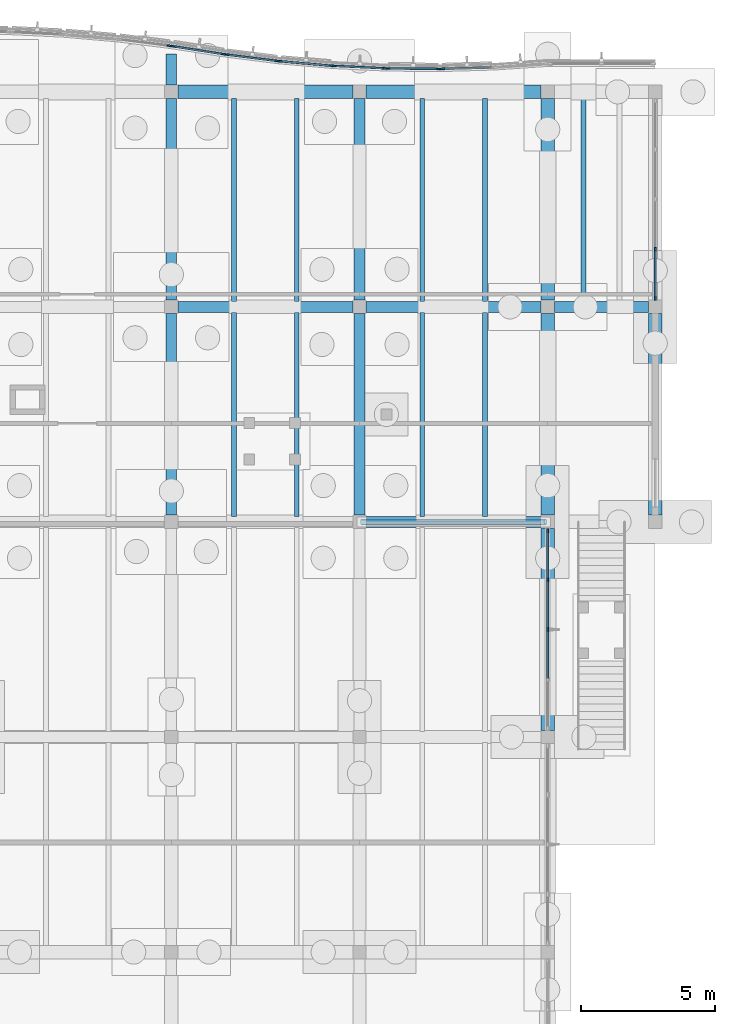
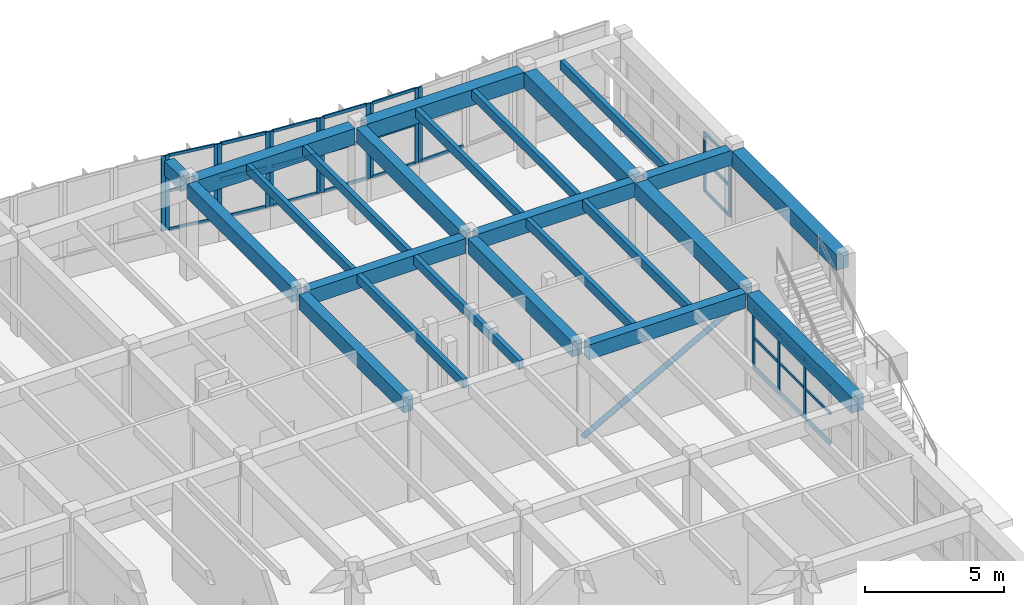
# One storey, part 48 of 99: 46 members, 24 beams, 9 elements without a shape of their own.
"""IFC4 building model written with IfcOpenShell, lengths in metres."""

from ifc_helpers import new_model, si_unit, direction, frame, origin, origin_2d, place, context, subcontext, project, spatial, rectangle, hollow_circle, extrude, material, layer, layer_set, material_profile, profile_set, type_object, element, aggregate, save


model = new_model("IFC4")

# Units and contexts
model_context = context("Model", 3, precision=1e-05, world=origin(), true_north=direction((0.0, 1.0)))
body_context = subcontext(model_context, "Body", "Model", "MODEL_VIEW")
ifc_project = project(units=[si_unit("LENGTHUNIT", "METRE"), si_unit("AREAUNIT", "SQUARE_METRE"), si_unit("VOLUMEUNIT", "CUBIC_METRE"), si_unit("PLANEANGLEUNIT", "RADIAN"), si_unit("MASSUNIT", "GRAM", prefix="KILO")], contexts=[model_context])

# Site, building, storey
site_placement = place(None, origin())
site = spatial("IfcSite", under=ifc_project, at=site_placement, CompositionType="ELEMENT")
building_placement = place(site_placement, origin())
building = spatial("IfcBuilding", under=site, at=building_placement, Name="Tonlespit Floodbar School", CompositionType="ELEMENT")
storey_placement = place(building_placement, origin())
storey = spatial("IfcBuildingStorey", under=building, at=storey_placement, Name="L00", CompositionType="ELEMENT", Elevation=0.0)

# Beams
ifc_material_1 = material(Name="Concrete C40/50", Category="concrete")
ifc_material_profile_1 = material_profile(ifc_material_1, rectangle(XDim=0.39990234375, YDim=0.64990234375, at=origin_2d()), Name="RC 400x650")
ifc_profile_set_1 = profile_set([ifc_material_profile_1], Name="Concrete C40/50")
beam_type_1 = type_object("IfcBeamType", Name="Beam_RC_400x650", PredefinedType="BEAM", material=ifc_profile_set_1)
for number, where, z_axis, x_axis, name in (
    (1, (169.25, 104.0, 3.9150390625), (1.0, 0.0, 0.0), (0.0, 1.0, 0.0), "L00 girder 0139"),
    (2, (162.25, 112.0, 3.9150390625), (1.0, 0.0, 0.0), (0.0, 1.0, 0.0), "L00 girder 0148"),
    (3, (169.25, 112.0, 3.9150390625), (1.0, 0.0, 0.0), (0.0, 1.0, 0.0), "L00 girder 0149"),
):
    element("IfcBeam", number, at=place(storey_placement, frame(where, z_axis=z_axis, x_axis=x_axis)), inside=storey, type_object=beam_type_1, Name=name, PredefinedType="BEAM", context=body_context, shape_type="SweptSolid", body=[
        extrude(rectangle(XDim=0.39990234375, YDim=0.64990234375, at=origin_2d()), origin(), (0.0, 0.0, 1.0), 6.5),
    ])
beam_1_placement = place(storey_placement, frame((176.25, 112.0, 3.9150390625), z_axis=(1.0, 0.0, 0.0), x_axis=(0.0, 1.0, 0.0)))
element("IfcBeam", 4, at=beam_1_placement, inside=storey, type_object=beam_type_1, Name="L00 girder 0150", PredefinedType="BEAM", context=body_context, shape_type="SweptSolid", body=[
    extrude(rectangle(XDim=0.39990234375, YDim=0.64990234375, at=origin_2d()), origin(), (0.0, 0.0, 1.0), 3.5),
])
for number, where, z_axis, x_axis, name in (
    (5, (162.0, 104.25, 3.9150390625), (0.0, 1.0, 0.0), (-1.0, 0.0, 0.0), "L00 girder 0304"),
    (6, (162.0, 112.25, 3.9150390625), (0.0, 1.0, 0.0), (-1.0, 0.0, 0.0), "L00 girder 0305"),
    (7, (169.0, 104.25, 3.9150390625), (0.0, 1.0, 0.0), (-1.0, 0.0, 0.0), "L00 girder 0312"),
    (8, (169.0, 112.25, 3.9150390625), (0.0, 1.0, 0.0), (-1.0, 0.0, 0.0), "L00 girder 0313"),
):
    element("IfcBeam", number, at=place(storey_placement, frame(where, z_axis=z_axis, x_axis=x_axis)), inside=storey, type_object=beam_type_1, Name=name, PredefinedType="BEAM", context=body_context, shape_type="SweptSolid", body=[
        extrude(rectangle(XDim=0.39990234375, YDim=0.64990234375, at=origin_2d()), origin(), (0.0, 0.0, 1.0), 7.5),
    ])
beam_2_placement = place(storey_placement, frame((162.0, 120.25, 3.9150390625), z_axis=(0.0, 1.0, 0.0), x_axis=(-1.0, 0.0, 0.0)))
element("IfcBeam", 9, at=beam_2_placement, inside=storey, type_object=beam_type_1, Name="L00 north street wave cantilever bracket", PredefinedType="BEAM", context=body_context, shape_type="SweptSolid", body=[
    extrude(rectangle(XDim=0.39990234375, YDim=0.64990234375, at=origin_2d()), origin(), (0.0, 0.0, 1.0), 1.15576171875),
])

# Member
ifc_material_2 = material(Name="Steel S355", Category="steel")
ifc_material_profile_2 = material_profile(ifc_material_2, hollow_circle(Radius=0.109619140625, WallThickness=0.008056640625, at=origin_2d()), Name="CHS 219.1x8")
ifc_profile_set_2 = profile_set([ifc_material_profile_2], Name="Steel S355")
member_type_1 = type_object("IfcMemberType", Name="Brace_Ext_CHS219", PredefinedType="BRACE", material=ifc_profile_set_2)
member_1_placement = place(storey_placement, frame((169.080078125, 104.0, 0.14990234375), z_axis=(0.874149917104, 0.0, 0.485656177174), x_axis=(0.0, 1.0, 0.0)))
element("IfcMember", 10, at=member_1_placement, inside=storey, type_object=member_type_1, Name="L00 exposed deconstructivist lateral brace 4", PredefinedType="BRACE", context=body_context, shape_type="SweptSolid", body=[
    extrude(hollow_circle(Radius=0.109619140625, WallThickness=0.008056640625, at=origin_2d()), origin(), (0.0, 0.0, 1.0), 7.824462890625),
])

# Curtain wall, members
ifc_material_3 = material(Name="Anodised Aluminium", Category="aluminium")
ifc_layer_1 = layer(ifc_material_3, 0.159912109375)
ifc_layer_set_1 = layer_set([ifc_layer_1], Name="Anodised Aluminium")
curtain_wall_type_1 = type_object("IfcCurtainWallType", Name="CurtainWall_1950x3300", PredefinedType="NOTDEFINED", material=ifc_layer_set_1)
curtain_wall_1_placement = place(storey_placement, origin())
curtain_wall_1 = element("IfcCurtainWall", 11, at=curtain_wall_1_placement, inside=storey, type_object=curtain_wall_type_1, Name="L00 unitised curtain wall 0362", PredefinedType="NOTDEFINED")
ifc_material_profile_3 = material_profile(ifc_material_3, rectangle(XDim=0.06494140625, YDim=0.14990234375, at=origin_2d()), Name="ALU M65x150")
ifc_profile_set_3 = profile_set([ifc_material_profile_3], Name="Anodised Aluminium")
member_type_2 = type_object("IfcMemberType", Name="CW_Mullion_65x150", PredefinedType="MULLION", material=ifc_profile_set_3)
member_2_placement = place(storey_placement, frame((162.071533203125, 121.694580078125, 0.949951171875), z_axis=(0.0, 0.0, 1.0), x_axis=(0.153796288585, 0.988102576465, 0.0)))
member_2 = element("IfcMember", 12, at=member_2_placement, type_object=member_type_2, Name="CW-01 mullion 1", PredefinedType="MULLION", context=body_context, shape_type="SweptSolid", body=[
    extrude(rectangle(XDim=0.06494140625, YDim=0.14990234375, at=origin_2d()), origin(), (0.0, 0.0, 1.0), 3.2900390625),
])
member_3_placement = place(storey_placement, frame((163.928466796875, 121.405517578125, 0.949951171875), z_axis=(0.0, 0.0, 1.0), x_axis=(0.153796288585, 0.988102576465, 0.0)))
member_3 = element("IfcMember", 13, at=member_3_placement, type_object=member_type_2, Name="CW-01 mullion 2", PredefinedType="MULLION", context=body_context, shape_type="SweptSolid", body=[
    extrude(rectangle(XDim=0.06494140625, YDim=0.14990234375, at=origin_2d()), origin(), (0.0, 0.0, 1.0), 3.2900390625),
])

curtain_wall_2_placement = place(storey_placement, origin())
curtain_wall_2 = element("IfcCurtainWall", 14, at=curtain_wall_2_placement, inside=storey, type_object=curtain_wall_type_1, Name="L00 unitised curtain wall 0364", PredefinedType="NOTDEFINED")
member_4_placement = place(storey_placement, frame((166.072265625, 121.135986328125, 0.949951171875), z_axis=(0.0, 0.0, 1.0), x_axis=(0.086531117454, 0.996249148412, 0.0)))
member_4 = element("IfcMember", 15, at=member_4_placement, type_object=member_type_2, Name="CW-01 mullion 1", PredefinedType="MULLION", context=body_context, shape_type="SweptSolid", body=[
    extrude(rectangle(XDim=0.06494140625, YDim=0.14990234375, at=origin_2d()), origin(), (0.0, 0.0, 1.0), 3.2900390625),
])
member_5_placement = place(storey_placement, frame((167.927734375, 120.974853515625, 0.949951171875), z_axis=(0.0, 0.0, 1.0), x_axis=(0.086531117454, 0.996249148412, 0.0)))
member_5 = element("IfcMember", 16, at=member_5_placement, type_object=member_type_2, Name="CW-01 mullion 2", PredefinedType="MULLION", context=body_context, shape_type="SweptSolid", body=[
    extrude(rectangle(XDim=0.06494140625, YDim=0.14990234375, at=origin_2d()), origin(), (0.0, 0.0, 1.0), 3.2900390625),
])

ifc_layer_2 = layer(ifc_material_3, 0.159912109375)
ifc_layer_set_2 = layer_set([ifc_layer_2], Name="Anodised Aluminium")
curtain_wall_type_2 = type_object("IfcCurtainWallType", Name="CurtainWall_1900x3300", PredefinedType="NOTDEFINED", material=ifc_layer_set_2)
curtain_wall_3_placement = place(storey_placement, origin())
curtain_wall_3 = element("IfcCurtainWall", 17, at=curtain_wall_3_placement, inside=storey, type_object=curtain_wall_type_2, Name="L00 unitised curtain wall 0366", PredefinedType="NOTDEFINED")
member_6_placement = place(storey_placement, frame((170.072509765625, 120.87158203125, 0.949951171875), z_axis=(0.0, 0.0, 1.0), x_axis=(0.009582893292, 0.999954083024, 0.0)))
member_6 = element("IfcMember", 18, at=member_6_placement, type_object=member_type_2, Name="CW-02 mullion 1", PredefinedType="MULLION", context=body_context, shape_type="SweptSolid", body=[
    extrude(rectangle(XDim=0.06494140625, YDim=0.14990234375, at=origin_2d()), origin(), (0.0, 0.0, 1.0), 3.2900390625),
])
member_7_placement = place(storey_placement, frame((171.927490234375, 120.853759765625, 0.949951171875), z_axis=(0.0, 0.0, 1.0), x_axis=(0.009582893292, 0.999954083024, 0.0)))
member_7 = element("IfcMember", 19, at=member_7_placement, type_object=member_type_2, Name="CW-02 mullion 2", PredefinedType="MULLION", context=body_context, shape_type="SweptSolid", body=[
    extrude(rectangle(XDim=0.06494140625, YDim=0.14990234375, at=origin_2d()), origin(), (0.0, 0.0, 1.0), 3.2900390625),
])

ifc_layer_3 = layer(ifc_material_3, 0.159912109375)
ifc_layer_set_3 = layer_set([ifc_layer_3], Name="Anodised Aluminium")
curtain_wall_type_3 = type_object("IfcCurtainWallType", Name="CurtainWall_7400x2600", PredefinedType="NOTDEFINED", material=ifc_layer_set_3)
curtain_wall_4_placement = place(storey_placement, origin())
curtain_wall_4 = element("IfcCurtainWall", 20, at=curtain_wall_4_placement, inside=storey, type_object=curtain_wall_type_3, Name="L00 unitised curtain wall 0370", PredefinedType="NOTDEFINED")
member_8_placement = place(storey_placement, frame((180.0, 114.14501953125, 0.949951171875), z_axis=(0.0, 0.0, 1.0), x_axis=(1.0, 0.0, 0.0)))
member_8 = element("IfcMember", 21, at=member_8_placement, type_object=member_type_2, Name="CW-52 mullion 4", PredefinedType="MULLION", context=body_context, shape_type="SweptSolid", body=[
    extrude(rectangle(XDim=0.06494140625, YDim=0.14990234375, at=origin_2d()), origin(), (0.0, 0.0, 1.0), 2.590087890625),
])
member_9_placement = place(storey_placement, frame((180.0, 112.322509765625, 0.949951171875), z_axis=(0.0, 0.0, 1.0), x_axis=(1.0, 0.0, 0.0)))
member_9 = element("IfcMember", 22, at=member_9_placement, type_object=member_type_2, Name="CW-52 mullion 5", PredefinedType="MULLION", context=body_context, shape_type="SweptSolid", body=[
    extrude(rectangle(XDim=0.06494140625, YDim=0.14990234375, at=origin_2d()), origin(), (0.0, 0.0, 1.0), 2.590087890625),
])

curtain_wall_5_placement = place(storey_placement, origin())
curtain_wall_5 = element("IfcCurtainWall", 23, at=curtain_wall_5_placement, inside=storey, type_object=curtain_wall_type_3, Name="L00 unitised curtain wall 0374", PredefinedType="NOTDEFINED")
member_10_placement = place(storey_placement, frame((176.0, 103.677490234375, 0.949951171875), z_axis=(0.0, 0.0, 1.0), x_axis=(1.0, 0.0, 0.0)))
member_10 = element("IfcMember", 24, at=member_10_placement, type_object=member_type_2, Name="CW-52 mullion 1", PredefinedType="MULLION", context=body_context, shape_type="SweptSolid", body=[
    extrude(rectangle(XDim=0.06494140625, YDim=0.14990234375, at=origin_2d()), origin(), (0.0, 0.0, 1.0), 2.590087890625),
])
member_11_placement = place(storey_placement, frame((176.0, 101.85498046875, 0.949951171875), z_axis=(0.0, 0.0, 1.0), x_axis=(1.0, 0.0, 0.0)))
member_11 = element("IfcMember", 25, at=member_11_placement, type_object=member_type_2, Name="CW-52 mullion 2", PredefinedType="MULLION", context=body_context, shape_type="SweptSolid", body=[
    extrude(rectangle(XDim=0.06494140625, YDim=0.14990234375, at=origin_2d()), origin(), (0.0, 0.0, 1.0), 2.590087890625),
])
member_12_placement = place(storey_placement, frame((176.0, 100.0, 0.949951171875), z_axis=(0.0, 0.0, 1.0), x_axis=(1.0, 0.0, 0.0)))
member_12 = element("IfcMember", 26, at=member_12_placement, type_object=member_type_2, Name="CW-52 mullion 3", PredefinedType="MULLION", context=body_context, shape_type="SweptSolid", body=[
    extrude(rectangle(XDim=0.06494140625, YDim=0.14990234375, at=origin_2d()), origin(), (0.0, 0.0, 1.0), 2.590087890625),
])

# Curtain wall, member
curtain_wall_6_placement = place(storey_placement, origin())
curtain_wall_6 = element("IfcCurtainWall", 27, at=curtain_wall_6_placement, inside=storey, type_object=curtain_wall_type_1, Name="L00 unitised curtain wall 0361", PredefinedType="NOTDEFINED")
ifc_material_profile_4 = material_profile(ifc_material_3, rectangle(XDim=0.06494140625, YDim=0.179931640625, at=origin_2d()), Name="ALU M65x180")
ifc_profile_set_4 = profile_set([ifc_material_profile_4], Name="Anodised Aluminium")
member_type_3 = type_object("IfcMemberType", Name="CW_Mullion_65x180", PredefinedType="MULLION", material=ifc_profile_set_4)
member_13_placement = place(storey_placement, frame((161.927978515625, 121.71484375, 0.949951171875), z_axis=(0.0, 0.0, 1.0), x_axis=(0.125013803299, 0.992155002499, 0.0)))
member_13 = element("IfcMember", 28, at=member_13_placement, type_object=member_type_3, Name="CW-01 mullion 2", PredefinedType="MULLION", context=body_context, shape_type="SweptSolid", body=[
    extrude(rectangle(XDim=0.06494140625, YDim=0.179931640625, at=origin_2d()), origin(), (0.0, 0.0, 1.0), 3.2900390625),
])
aggregate(curtain_wall_6, [member_13])

# Curtain wall, members
curtain_wall_7_placement = place(storey_placement, origin())
curtain_wall_7 = element("IfcCurtainWall", 29, at=curtain_wall_7_placement, inside=storey, type_object=curtain_wall_type_1, Name="L00 unitised curtain wall 0363", PredefinedType="NOTDEFINED")
member_14_placement = place(storey_placement, frame((164.072021484375, 121.38525390625, 0.949951171875), z_axis=(0.0, 0.0, 1.0), x_axis=(0.125013803299, 0.992155002499, 0.0)))
member_14 = element("IfcMember", 30, at=member_14_placement, type_object=member_type_3, Name="CW-01 mullion 1", PredefinedType="MULLION", context=body_context, shape_type="SweptSolid", body=[
    extrude(rectangle(XDim=0.06494140625, YDim=0.179931640625, at=origin_2d()), origin(), (0.0, 0.0, 1.0), 3.2900390625),
])
member_15_placement = place(storey_placement, frame((165.927978515625, 121.1513671875, 0.949951171875), z_axis=(0.0, 0.0, 1.0), x_axis=(0.125013803299, 0.992155002499, 0.0)))
member_15 = element("IfcMember", 31, at=member_15_placement, type_object=member_type_3, Name="CW-01 mullion 2", PredefinedType="MULLION", context=body_context, shape_type="SweptSolid", body=[
    extrude(rectangle(XDim=0.06494140625, YDim=0.179931640625, at=origin_2d()), origin(), (0.0, 0.0, 1.0), 3.2900390625),
])

curtain_wall_8_placement = place(storey_placement, origin())
curtain_wall_8 = element("IfcCurtainWall", 32, at=curtain_wall_8_placement, inside=storey, type_object=curtain_wall_type_2, Name="L00 unitised curtain wall 0365", PredefinedType="NOTDEFINED")
member_16_placement = place(storey_placement, frame((168.072509765625, 120.965087890625, 0.949951171875), z_axis=(0.0, 0.0, 1.0), x_axis=(0.048121270216, 0.998841500616, 0.0)))
member_16 = element("IfcMember", 33, at=member_16_placement, type_object=member_type_3, Name="CW-02 mullion 1", PredefinedType="MULLION", context=body_context, shape_type="SweptSolid", body=[
    extrude(rectangle(XDim=0.06494140625, YDim=0.179931640625, at=origin_2d()), origin(), (0.0, 0.0, 1.0), 3.2900390625),
])
member_17_placement = place(storey_placement, frame((169.927490234375, 120.875732421875, 0.949951171875), z_axis=(0.0, 0.0, 1.0), x_axis=(0.048121270216, 0.998841500616, 0.0)))
member_17 = element("IfcMember", 34, at=member_17_placement, type_object=member_type_3, Name="CW-02 mullion 2", PredefinedType="MULLION", context=body_context, shape_type="SweptSolid", body=[
    extrude(rectangle(XDim=0.06494140625, YDim=0.179931640625, at=origin_2d()), origin(), (0.0, 0.0, 1.0), 3.2900390625),
])

# Curtain wall, member
curtain_wall_9_placement = place(storey_placement, origin())
curtain_wall_9 = element("IfcCurtainWall", 35, at=curtain_wall_9_placement, inside=storey, type_object=curtain_wall_type_2, Name="L00 unitised curtain wall 0367", PredefinedType="NOTDEFINED")
member_18_placement = place(storey_placement, frame((172.072509765625, 120.855224609375, 0.949951171875), z_axis=(0.0, 0.0, 1.0), x_axis=(-0.028790144226, 0.999585477883, 0.0)))
member_18 = element("IfcMember", 36, at=member_18_placement, type_object=member_type_3, Name="CW-02 mullion 1", PredefinedType="MULLION", context=body_context, shape_type="SweptSolid", body=[
    extrude(rectangle(XDim=0.06494140625, YDim=0.179931640625, at=origin_2d()), origin(), (0.0, 0.0, 1.0), 3.2900390625),
])

# Member
ifc_material_profile_5 = material_profile(ifc_material_3, rectangle(XDim=0.06494140625, YDim=0.1201171875, at=origin_2d()), Name="ALU T65x120")
ifc_profile_set_5 = profile_set([ifc_material_profile_5], Name="Anodised Aluminium")
member_type_4 = type_object("IfcMemberType", Name="CW_Transom_65x120", PredefinedType="USERDEFINED", material=ifc_profile_set_5)
member_19_placement = place(storey_placement, frame((162.103759765625, 121.689453125, 0.982421875), z_axis=(0.988097838313, -0.15382672694, 0.0), x_axis=(0.15382672694, 0.988097838313, 0.0)))
member_19 = element("IfcMember", 37, at=member_19_placement, type_object=member_type_4, Name="CW-01 transom 1.1", ObjectType="TRANSOM", PredefinedType="USERDEFINED", context=body_context, shape_type="SweptSolid", body=[
    extrude(rectangle(XDim=0.06494140625, YDim=0.1201171875, at=origin_2d()), origin(), (0.0, 0.0, 1.0), 1.81396484375),
])

member_20_placement = place(storey_placement, frame((162.103759765625, 121.689453125, 2.660888671875), z_axis=(0.988097838313, -0.15382672694, 0.0), x_axis=(0.15382672694, 0.988097838313, 0.0)))
member_20 = element("IfcMember", 38, at=member_20_placement, type_object=member_type_4, Name="CW-01 transom 1.2", ObjectType="TRANSOM", PredefinedType="USERDEFINED", context=body_context, shape_type="SweptSolid", body=[
    extrude(rectangle(XDim=0.06494140625, YDim=0.1201171875, at=origin_2d()), origin(), (0.0, 0.0, 1.0), 1.81396484375),
])

member_21_placement = place(storey_placement, frame((162.103759765625, 121.689453125, 4.20751953125), z_axis=(0.988097838313, -0.15382672694, 0.0), x_axis=(0.15382672694, 0.988097838313, 0.0)))
member_21 = element("IfcMember", 39, at=member_21_placement, type_object=member_type_4, Name="CW-01 transom 1.3", ObjectType="TRANSOM", PredefinedType="USERDEFINED", context=body_context, shape_type="SweptSolid", body=[
    extrude(rectangle(XDim=0.06494140625, YDim=0.1201171875, at=origin_2d()), origin(), (0.0, 0.0, 1.0), 1.81396484375),
])

aggregate(curtain_wall_1, [member_2, member_3, member_19, member_20, member_21])

member_22_placement = place(storey_placement, frame((166.1044921875, 121.133056640625, 0.982421875), z_axis=(0.996251281774, -0.086506552139, 0.0), x_axis=(0.086506552139, 0.996251281774, 0.0)))
member_22 = element("IfcMember", 40, at=member_22_placement, type_object=member_type_4, Name="CW-01 transom 1.1", ObjectType="TRANSOM", PredefinedType="USERDEFINED", context=body_context, shape_type="SweptSolid", body=[
    extrude(rectangle(XDim=0.06494140625, YDim=0.1201171875, at=origin_2d()), origin(), (0.0, 0.0, 1.0), 1.7978515625),
])

member_23_placement = place(storey_placement, frame((166.1044921875, 121.133056640625, 2.660888671875), z_axis=(0.996251281774, -0.086506552139, 0.0), x_axis=(0.086506552139, 0.996251281774, 0.0)))
member_23 = element("IfcMember", 41, at=member_23_placement, type_object=member_type_4, Name="CW-01 transom 1.2", ObjectType="TRANSOM", PredefinedType="USERDEFINED", context=body_context, shape_type="SweptSolid", body=[
    extrude(rectangle(XDim=0.06494140625, YDim=0.1201171875, at=origin_2d()), origin(), (0.0, 0.0, 1.0), 1.7978515625),
])

member_24_placement = place(storey_placement, frame((166.1044921875, 121.133056640625, 4.20751953125), z_axis=(0.996251281774, -0.086506552139, 0.0), x_axis=(0.086506552139, 0.996251281774, 0.0)))
member_24 = element("IfcMember", 42, at=member_24_placement, type_object=member_type_4, Name="CW-01 transom 1.3", ObjectType="TRANSOM", PredefinedType="USERDEFINED", context=body_context, shape_type="SweptSolid", body=[
    extrude(rectangle(XDim=0.06494140625, YDim=0.1201171875, at=origin_2d()), origin(), (0.0, 0.0, 1.0), 1.7978515625),
])

aggregate(curtain_wall_2, [member_4, member_5, member_22, member_23, member_24])

member_25_placement = place(storey_placement, frame((170.10498046875, 120.87109375, 0.982421875), z_axis=(0.999954428693, -0.00954675532, 0.0), x_axis=(0.00954675532, 0.999954428693, 0.0)))
member_25 = element("IfcMember", 43, at=member_25_placement, type_object=member_type_4, Name="CW-02 transom 1.1", ObjectType="TRANSOM", PredefinedType="USERDEFINED", context=body_context, shape_type="SweptSolid", body=[
    extrude(rectangle(XDim=0.06494140625, YDim=0.1201171875, at=origin_2d()), origin(), (0.0, 0.0, 1.0), 1.7900390625),
])

member_26_placement = place(storey_placement, frame((170.10498046875, 120.87109375, 2.660888671875), z_axis=(0.999954428693, -0.00954675532, 0.0), x_axis=(0.00954675532, 0.999954428693, 0.0)))
member_26 = element("IfcMember", 44, at=member_26_placement, type_object=member_type_4, Name="CW-02 transom 1.2", ObjectType="TRANSOM", PredefinedType="USERDEFINED", context=body_context, shape_type="SweptSolid", body=[
    extrude(rectangle(XDim=0.06494140625, YDim=0.1201171875, at=origin_2d()), origin(), (0.0, 0.0, 1.0), 1.7900390625),
])

member_27_placement = place(storey_placement, frame((170.10498046875, 120.87109375, 4.20751953125), z_axis=(0.999954428693, -0.00954675532, 0.0), x_axis=(0.00954675532, 0.999954428693, 0.0)))
member_27 = element("IfcMember", 45, at=member_27_placement, type_object=member_type_4, Name="CW-02 transom 1.3", ObjectType="TRANSOM", PredefinedType="USERDEFINED", context=body_context, shape_type="SweptSolid", body=[
    extrude(rectangle(XDim=0.06494140625, YDim=0.1201171875, at=origin_2d()), origin(), (0.0, 0.0, 1.0), 1.7900390625),
])

aggregate(curtain_wall_3, [member_6, member_7, member_25, member_26, member_27])

member_28_placement = place(storey_placement, frame((180.0, 114.112548828125, 0.982421875), z_axis=(0.0, -1.0, 0.0), x_axis=(1.0, 0.0, 0.0)))
member_28 = element("IfcMember", 46, at=member_28_placement, type_object=member_type_4, Name="CW-52 transom 4.1", ObjectType="TRANSOM", PredefinedType="USERDEFINED", context=body_context, shape_type="SweptSolid", body=[
    extrude(rectangle(XDim=0.06494140625, YDim=0.1201171875, at=origin_2d()), origin(), (0.0, 0.0, 1.0), 1.757568359375),
])

member_29_placement = place(storey_placement, frame((180.0, 114.112548828125, 2.296875), z_axis=(0.0, -1.0, 0.0), x_axis=(1.0, 0.0, 0.0)))
member_29 = element("IfcMember", 47, at=member_29_placement, type_object=member_type_4, Name="CW-52 transom 4.2", ObjectType="TRANSOM", PredefinedType="USERDEFINED", context=body_context, shape_type="SweptSolid", body=[
    extrude(rectangle(XDim=0.06494140625, YDim=0.1201171875, at=origin_2d()), origin(), (0.0, 0.0, 1.0), 1.757568359375),
])

member_30_placement = place(storey_placement, frame((180.0, 114.112548828125, 3.507568359375), z_axis=(0.0, -1.0, 0.0), x_axis=(1.0, 0.0, 0.0)))
member_30 = element("IfcMember", 48, at=member_30_placement, type_object=member_type_4, Name="CW-52 transom 4.3", ObjectType="TRANSOM", PredefinedType="USERDEFINED", context=body_context, shape_type="SweptSolid", body=[
    extrude(rectangle(XDim=0.06494140625, YDim=0.1201171875, at=origin_2d()), origin(), (0.0, 0.0, 1.0), 1.757568359375),
])

aggregate(curtain_wall_4, [member_8, member_9, member_28, member_29, member_30])

member_31_placement = place(storey_placement, frame((176.0, 103.64501953125, 0.982421875), z_axis=(0.0, -1.0, 0.0), x_axis=(1.0, 0.0, 0.0)))
member_31 = element("IfcMember", 49, at=member_31_placement, type_object=member_type_4, Name="CW-52 transom 1.1", ObjectType="TRANSOM", PredefinedType="USERDEFINED", context=body_context, shape_type="SweptSolid", body=[
    extrude(rectangle(XDim=0.06494140625, YDim=0.1201171875, at=origin_2d()), origin(), (0.0, 0.0, 1.0), 1.757568359375),
])

member_32_placement = place(storey_placement, frame((176.0, 103.64501953125, 2.296875), z_axis=(0.0, -1.0, 0.0), x_axis=(1.0, 0.0, 0.0)))
member_32 = element("IfcMember", 50, at=member_32_placement, type_object=member_type_4, Name="CW-52 transom 1.2", ObjectType="TRANSOM", PredefinedType="USERDEFINED", context=body_context, shape_type="SweptSolid", body=[
    extrude(rectangle(XDim=0.06494140625, YDim=0.1201171875, at=origin_2d()), origin(), (0.0, 0.0, 1.0), 1.757568359375),
])

member_33_placement = place(storey_placement, frame((176.0, 103.64501953125, 3.507568359375), z_axis=(0.0, -1.0, 0.0), x_axis=(1.0, 0.0, 0.0)))
member_33 = element("IfcMember", 51, at=member_33_placement, type_object=member_type_4, Name="CW-52 transom 1.3", ObjectType="TRANSOM", PredefinedType="USERDEFINED", context=body_context, shape_type="SweptSolid", body=[
    extrude(rectangle(XDim=0.06494140625, YDim=0.1201171875, at=origin_2d()), origin(), (0.0, 0.0, 1.0), 1.757568359375),
])

member_34_placement = place(storey_placement, frame((176.0, 101.822509765625, 0.982421875), z_axis=(0.0, -1.0, 0.0), x_axis=(1.0, 0.0, 0.0)))
member_34 = element("IfcMember", 52, at=member_34_placement, type_object=member_type_4, Name="CW-52 transom 2.1", ObjectType="TRANSOM", PredefinedType="USERDEFINED", context=body_context, shape_type="SweptSolid", body=[
    extrude(rectangle(XDim=0.06494140625, YDim=0.1201171875, at=origin_2d()), origin(), (0.0, 0.0, 1.0), 1.7900390625),
])

member_35_placement = place(storey_placement, frame((176.0, 101.822509765625, 2.296875), z_axis=(0.0, -1.0, 0.0), x_axis=(1.0, 0.0, 0.0)))
member_35 = element("IfcMember", 53, at=member_35_placement, type_object=member_type_4, Name="CW-52 transom 2.2", ObjectType="TRANSOM", PredefinedType="USERDEFINED", context=body_context, shape_type="SweptSolid", body=[
    extrude(rectangle(XDim=0.06494140625, YDim=0.1201171875, at=origin_2d()), origin(), (0.0, 0.0, 1.0), 1.7900390625),
])

member_36_placement = place(storey_placement, frame((176.0, 101.822509765625, 3.507568359375), z_axis=(0.0, -1.0, 0.0), x_axis=(1.0, 0.0, 0.0)))
member_36 = element("IfcMember", 54, at=member_36_placement, type_object=member_type_4, Name="CW-52 transom 2.3", ObjectType="TRANSOM", PredefinedType="USERDEFINED", context=body_context, shape_type="SweptSolid", body=[
    extrude(rectangle(XDim=0.06494140625, YDim=0.1201171875, at=origin_2d()), origin(), (0.0, 0.0, 1.0), 1.7900390625),
])

member_37_placement = place(storey_placement, frame((176.0, 99.967529296875, 0.982421875), z_axis=(0.0, -1.0, 0.0), x_axis=(1.0, 0.0, 0.0)))
member_37 = element("IfcMember", 55, at=member_37_placement, type_object=member_type_4, Name="CW-52 transom 3.1", ObjectType="TRANSOM", PredefinedType="USERDEFINED", context=body_context, shape_type="SweptSolid", body=[
    extrude(rectangle(XDim=0.06494140625, YDim=0.1201171875, at=origin_2d()), origin(), (0.0, 0.0, 1.0), 1.7900390625),
])

member_38_placement = place(storey_placement, frame((176.0, 99.967529296875, 2.296875), z_axis=(0.0, -1.0, 0.0), x_axis=(1.0, 0.0, 0.0)))
member_38 = element("IfcMember", 56, at=member_38_placement, type_object=member_type_4, Name="CW-52 transom 3.2", ObjectType="TRANSOM", PredefinedType="USERDEFINED", context=body_context, shape_type="SweptSolid", body=[
    extrude(rectangle(XDim=0.06494140625, YDim=0.1201171875, at=origin_2d()), origin(), (0.0, 0.0, 1.0), 1.7900390625),
])

member_39_placement = place(storey_placement, frame((176.0, 99.967529296875, 3.507568359375), z_axis=(0.0, -1.0, 0.0), x_axis=(1.0, 0.0, 0.0)))
member_39 = element("IfcMember", 57, at=member_39_placement, type_object=member_type_4, Name="CW-52 transom 3.3", ObjectType="TRANSOM", PredefinedType="USERDEFINED", context=body_context, shape_type="SweptSolid", body=[
    extrude(rectangle(XDim=0.06494140625, YDim=0.1201171875, at=origin_2d()), origin(), (0.0, 0.0, 1.0), 1.7900390625),
])

aggregate(curtain_wall_5, [member_10, member_11, member_12, member_31, member_32, member_33, member_34, member_35, member_36, member_37, member_38, member_39])

ifc_material_profile_6 = material_profile(ifc_material_3, rectangle(XDim=0.06494140625, YDim=0.139892578125, at=origin_2d()), Name="ALU T65x140")
ifc_profile_set_6 = profile_set([ifc_material_profile_6], Name="Anodised Aluminium")
member_type_5 = type_object("IfcMemberType", Name="CW_Transom_65x140", PredefinedType="USERDEFINED", material=ifc_profile_set_6)
member_40_placement = place(storey_placement, frame((164.104248046875, 121.381103515625, 0.982421875), z_axis=(0.992165142165, -0.124933304901, 0.0), x_axis=(0.124933304901, 0.992165142165, 0.0)))
member_40 = element("IfcMember", 58, at=member_40_placement, type_object=member_type_5, Name="CW-01 transom 1.1", ObjectType="TRANSOM", PredefinedType="USERDEFINED", context=body_context, shape_type="SweptSolid", body=[
    extrude(rectangle(XDim=0.06494140625, YDim=0.139892578125, at=origin_2d()), origin(), (0.0, 0.0, 1.0), 1.8056640625),
])

member_41_placement = place(storey_placement, frame((164.104248046875, 121.381103515625, 2.660888671875), z_axis=(0.992165142165, -0.124933304901, 0.0), x_axis=(0.124933304901, 0.992165142165, 0.0)))
member_41 = element("IfcMember", 59, at=member_41_placement, type_object=member_type_5, Name="CW-01 transom 1.2", ObjectType="TRANSOM", PredefinedType="USERDEFINED", context=body_context, shape_type="SweptSolid", body=[
    extrude(rectangle(XDim=0.06494140625, YDim=0.139892578125, at=origin_2d()), origin(), (0.0, 0.0, 1.0), 1.8056640625),
])

member_42_placement = place(storey_placement, frame((164.104248046875, 121.381103515625, 4.20751953125), z_axis=(0.992165142165, -0.124933304901, 0.0), x_axis=(0.124933304901, 0.992165142165, 0.0)))
member_42 = element("IfcMember", 60, at=member_42_placement, type_object=member_type_5, Name="CW-01 transom 1.3", ObjectType="TRANSOM", PredefinedType="USERDEFINED", context=body_context, shape_type="SweptSolid", body=[
    extrude(rectangle(XDim=0.06494140625, YDim=0.139892578125, at=origin_2d()), origin(), (0.0, 0.0, 1.0), 1.8056640625),
])

aggregate(curtain_wall_7, [member_14, member_15, member_40, member_41, member_42])

member_43_placement = place(storey_placement, frame((168.10498046875, 120.96337890625, 0.982421875), z_axis=(0.998843034795, -0.048089415069, 0.0), x_axis=(0.048089415069, 0.998843034795, 0.0)))
member_43 = element("IfcMember", 61, at=member_43_placement, type_object=member_type_5, Name="CW-02 transom 1.1", ObjectType="TRANSOM", PredefinedType="USERDEFINED", context=body_context, shape_type="SweptSolid", body=[
    extrude(rectangle(XDim=0.06494140625, YDim=0.139892578125, at=origin_2d()), origin(), (0.0, 0.0, 1.0), 1.7919921875),
])

member_44_placement = place(storey_placement, frame((168.10498046875, 120.96337890625, 2.660888671875), z_axis=(0.998843034795, -0.048089415069, 0.0), x_axis=(0.048089415069, 0.998843034795, 0.0)))
member_44 = element("IfcMember", 62, at=member_44_placement, type_object=member_type_5, Name="CW-02 transom 1.2", ObjectType="TRANSOM", PredefinedType="USERDEFINED", context=body_context, shape_type="SweptSolid", body=[
    extrude(rectangle(XDim=0.06494140625, YDim=0.139892578125, at=origin_2d()), origin(), (0.0, 0.0, 1.0), 1.7919921875),
])

member_45_placement = place(storey_placement, frame((168.10498046875, 120.96337890625, 4.20751953125), z_axis=(0.998843034795, -0.048089415069, 0.0), x_axis=(0.048089415069, 0.998843034795, 0.0)))
member_45 = element("IfcMember", 63, at=member_45_placement, type_object=member_type_5, Name="CW-02 transom 1.3", ObjectType="TRANSOM", PredefinedType="USERDEFINED", context=body_context, shape_type="SweptSolid", body=[
    extrude(rectangle(XDim=0.06494140625, YDim=0.139892578125, at=origin_2d()), origin(), (0.0, 0.0, 1.0), 1.7919921875),
])

aggregate(curtain_wall_8, [member_16, member_17, member_43, member_44, member_45])

member_46_placement = place(storey_placement, frame((172.10498046875, 120.85595703125, 0.982421875), z_axis=(0.999582242166, 0.028902268868, 0.0), x_axis=(-0.028902268868, 0.999582242166, 0.0)))
member_46 = element("IfcMember", 64, at=member_46_placement, type_object=member_type_5, Name="CW-02 transom 1.1", ObjectType="TRANSOM", PredefinedType="USERDEFINED", context=body_context, shape_type="SweptSolid", body=[
    extrude(rectangle(XDim=0.06494140625, YDim=0.139892578125, at=origin_2d()), origin(), (0.0, 0.0, 1.0), 1.790771484375),
])

aggregate(curtain_wall_9, [member_18, member_46])

# Beams
ifc_material_4 = material(Name="Glulam GL28h", Category="wood")
ifc_material_profile_7 = material_profile(ifc_material_4, rectangle(XDim=0.179931640625, YDim=0.39990234375, at=origin_2d()), Name="GL 180x400")
ifc_profile_set_7 = profile_set([ifc_material_profile_7], Name="Glulam GL28h")
beam_type_2 = type_object("IfcBeamType", Name="Joist_GL_180x400", PredefinedType="JOIST", material=ifc_profile_set_7)
for number, where, z_axis, x_axis, name in (
    (65, (164.333251953125, 104.199951171875, 4.0400390625), (0.0, 1.0, 0.0), (-1.0, 0.0, 0.0), "L00 secondary joist 0519"),
    (66, (166.666748046875, 104.199951171875, 4.0400390625), (0.0, 1.0, 0.0), (-1.0, 0.0, 0.0), "L00 secondary joist 0520"),
    (67, (171.333251953125, 104.199951171875, 4.0400390625), (0.0, 1.0, 0.0), (-1.0, 0.0, 0.0), "L00 secondary joist 0521"),
    (68, (173.666748046875, 104.199951171875, 4.0400390625), (0.0, 1.0, 0.0), (-1.0, 0.0, 0.0), "L00 secondary joist 0522"),
):
    element("IfcBeam", number, at=place(storey_placement, frame(where, z_axis=z_axis, x_axis=x_axis)), inside=storey, type_object=beam_type_2, Name=name, PredefinedType="JOIST", context=body_context, shape_type="SweptSolid", body=[
        extrude(rectangle(XDim=0.179931640625, YDim=0.39990234375, at=origin_2d()), origin(), (0.0, 0.0, 1.0), 7.60009765625),
    ])
for number, where, z_axis, x_axis, name in (
    (69, (164.333251953125, 112.199951171875, 4.0400390625), (0.0, 1.0, 0.0), (-1.0, 0.0, 0.0), "L00 secondary joist 0539"),
    (70, (166.666748046875, 112.199951171875, 4.0400390625), (0.0, 1.0, 0.0), (-1.0, 0.0, 0.0), "L00 secondary joist 0540"),
    (71, (171.333251953125, 112.199951171875, 4.0400390625), (0.0, 1.0, 0.0), (-1.0, 0.0, 0.0), "L00 secondary joist 0541"),
    (72, (173.666748046875, 112.199951171875, 4.0400390625), (0.0, 1.0, 0.0), (-1.0, 0.0, 0.0), "L00 secondary joist 0542"),
    (73, (177.333251953125, 112.199951171875, 4.0400390625), (0.0, 1.0, 0.0), (-1.0, 0.0, 0.0), "L00 secondary joist 0543"),
):
    element("IfcBeam", number, at=place(storey_placement, frame(where, z_axis=z_axis, x_axis=x_axis)), inside=storey, type_object=beam_type_2, Name=name, PredefinedType="JOIST", context=body_context, shape_type="SweptSolid", body=[
        extrude(rectangle(XDim=0.179931640625, YDim=0.39990234375, at=origin_2d()), origin(), (0.0, 0.0, 1.0), 7.550048828125),
    ])
ifc_material_profile_8 = material_profile(ifc_material_1, rectangle(XDim=0.5, YDim=0.699951171875, at=origin_2d()), Name="RC 500x700")
ifc_profile_set_8 = profile_set([ifc_material_profile_8], Name="Concrete C40/50")
beam_type_3 = type_object("IfcBeamType", Name="Spandrel_RC_500x700", PredefinedType="SPANDREL", material=ifc_profile_set_8)
for number, where, z_axis, x_axis, name in (
    (74, (162.25, 120.0, 3.889892578125), (1.0, 0.0, 0.0), (0.0, 1.0, 0.0), "L00 girder 0165"),
    (75, (169.25, 120.0, 3.889892578125), (1.0, 0.0, 0.0), (0.0, 1.0, 0.0), "L00 girder 0166"),
):
    element("IfcBeam", number, at=place(storey_placement, frame(where, z_axis=z_axis, x_axis=x_axis)), inside=storey, type_object=beam_type_3, Name=name, PredefinedType="SPANDREL", context=body_context, shape_type="SweptSolid", body=[
        extrude(rectangle(XDim=0.5, YDim=0.699951171875, at=origin_2d()), origin(), (0.0, 0.0, 1.0), 6.5),
    ])
for number, where, z_axis, x_axis, name in (
    (76, (176.0, 96.25, 3.889892578125), (0.0, 1.0, 0.0), (-1.0, 0.0, 0.0), "L00 girder 0325"),
    (77, (176.0, 104.25, 3.889892578125), (0.0, 1.0, 0.0), (-1.0, 0.0, 0.0), "L00 girder 0326"),
    (78, (176.0, 112.25, 3.889892578125), (0.0, 1.0, 0.0), (-1.0, 0.0, 0.0), "L00 girder 0327"),
    (79, (180.0, 104.25, 3.889892578125), (0.0, 1.0, 0.0), (-1.0, 0.0, 0.0), "L00 girder 0328"),
):
    element("IfcBeam", number, at=place(storey_placement, frame(where, z_axis=z_axis, x_axis=x_axis)), inside=storey, type_object=beam_type_3, Name=name, PredefinedType="SPANDREL", context=body_context, shape_type="SweptSolid", body=[
        extrude(rectangle(XDim=0.5, YDim=0.699951171875, at=origin_2d()), origin(), (0.0, 0.0, 1.0), 7.5),
    ])

save(model, "model.ifc")
